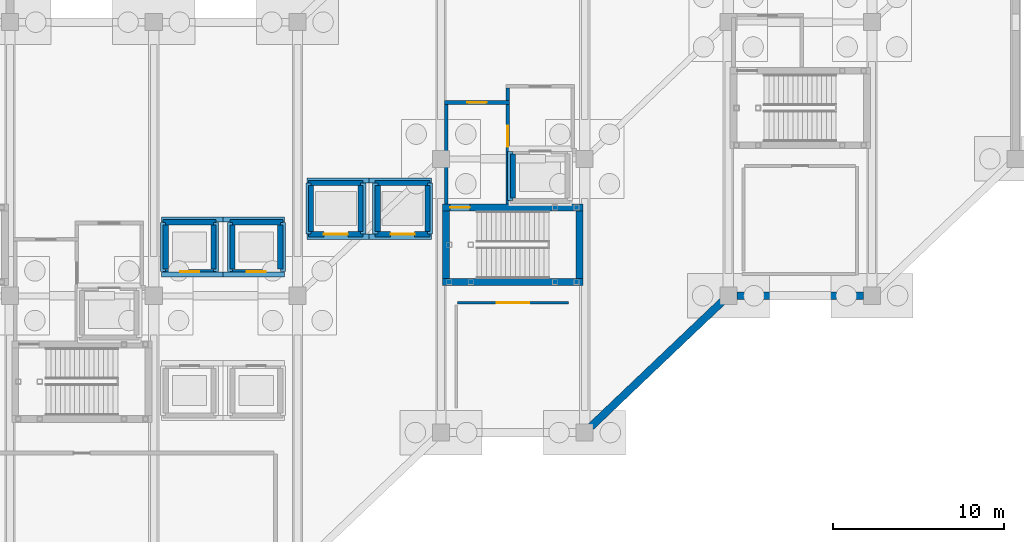
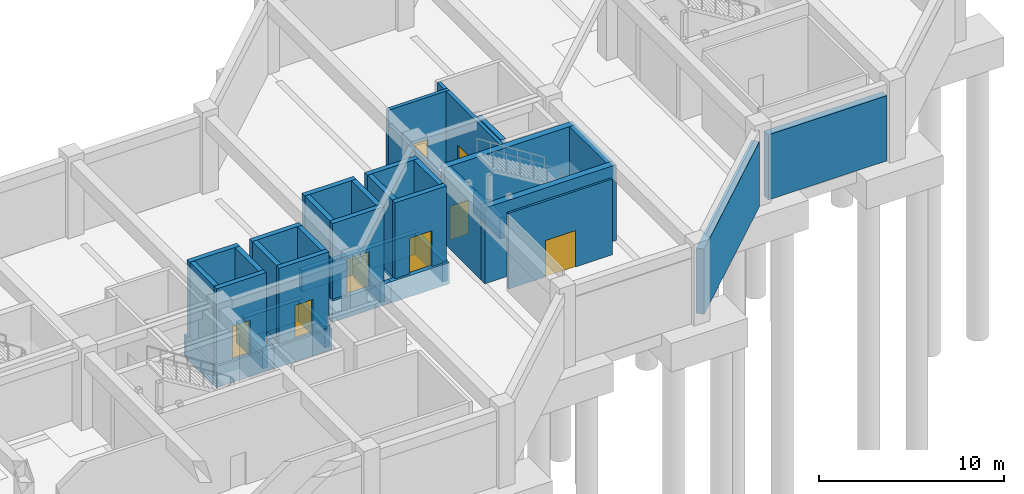
# One storey, part 42 of 56: 45 walls, 8 doors, 8 openings.
"""IFC4 building model written with IfcOpenShell, lengths in metres."""

from ifc_helpers import new_model, si_unit, direction, frame, frame_2d, origin, place, context, subcontext, project, spatial, rectangle, extrude, material, layer, layer_set, type_object, element, fill, save


model = new_model("IFC4")

# Units and contexts
model_context = context("Model", 3, precision=1e-05, world=origin(), true_north=direction((0.0, 1.0)))
body_context = subcontext(model_context, "Body", "Model", "MODEL_VIEW")
ifc_project = project(units=[si_unit("LENGTHUNIT", "METRE"), si_unit("AREAUNIT", "SQUARE_METRE"), si_unit("VOLUMEUNIT", "CUBIC_METRE"), si_unit("PLANEANGLEUNIT", "RADIAN"), si_unit("MASSUNIT", "GRAM", prefix="KILO")], contexts=[model_context])

# Site, building, storey
site_placement = place(None, origin())
site = spatial("IfcSite", under=ifc_project, at=site_placement, CompositionType="ELEMENT")
building_placement = place(site_placement, origin())
building = spatial("IfcBuilding", under=site, at=building_placement, Name="Naruveol Harbour Congress Hotel", CompositionType="ELEMENT")
storey_placement = place(building_placement, frame((0.0, 0.0, -5.39990234375)))
storey = spatial("IfcBuildingStorey", under=building, at=storey_placement, Name="B01", CompositionType="ELEMENT", Elevation=-5.39990234375)

# Wall, opening, door
ifc_material_1 = material(Name="Acoustic Double Stud Gypsum", Category="gypsum")
ifc_layer_1 = layer(ifc_material_1, 0.139892578125)
ifc_layer_set_1 = layer_set([ifc_layer_1], Name="Acoustic Double Stud Gypsum")
wall_type_1 = type_object("IfcWallType", Name="ACOUSTIC MEETING PARTITION WALL 140", PredefinedType="PARTITIONING", material=ifc_layer_set_1)
wall_1_placement = place(storey_placement, frame((152.159912109375, 15.60009765625, 0.0), z_axis=(0.0, 0.0, 1.0), x_axis=(1.0, 0.0, 0.0)))
wall_1 = element("IfcWall", 1, at=wall_1_placement, inside=storey, type_object=wall_type_1, Name="Uniform and Staff Dining Room north entry wall PW-140", PredefinedType="PARTITIONING", context=body_context, shape_type="SweptSolid", body=[
    extrude(rectangle(XDim=6.47998046875, YDim=0.139892578125, at=frame_2d((3.239990234375, 0.0))), origin(), (0.0, 0.0, 1.0), 4.994873046875),
])
opening_1_placement = place(wall_1_placement, frame((2.2900390625, 0.0, 0.0)))
opening_1 = element("IfcOpeningElement", 2, at=opening_1_placement, cuts=wall_1, Name="Opening ID-LG-12", PredefinedType="OPENING", context=body_context, shape_type="SweptSolid", body=[
    extrude(rectangle(XDim=1.89990234375, YDim=2.39990234375, at=frame_2d((0.949951171875, 1.199951171875))), frame((0.0, 0.079833984375, 0.0), z_axis=(0.0, -1.0, 0.0), x_axis=(1.0, 0.0, 0.0)), (0.0, 0.0, 1.0), 0.159912109375),
])
ifc_material_2 = material(Name="Timber & Steel Acoustic Leaf", Category="steel")
door_type_1 = type_object("IfcDoorType", Name="RESTAURANT AND LOUNGE GLAZED DOOR 1900X2400", OperationType="DOUBLE_DOOR_SINGLE_SWING", PredefinedType="DOOR", material=ifc_material_2)
door_1_placement = place(opening_1_placement, origin())
door_1 = element("IfcDoor", 3, at=door_1_placement, inside=storey, type_object=door_type_1, Name="Uniform and Staff Dining Room Entrance Door", OperationType="DOUBLE_DOOR_SINGLE_SWING", OverallHeight=2.39990234375, OverallWidth=1.89990234375, PredefinedType="DOOR", context=body_context, shape_type="SweptSolid", body=[
    extrude(rectangle(XDim=1.89990234375, YDim=2.39990234375, at=frame_2d((0.949951171875, 1.199951171875))), frame((0.0, 0.02490234375, 0.0), z_axis=(0.0, -1.0, 0.0), x_axis=(1.0, 0.0, 0.0)), (0.0, 0.0, 1.0), 0.050048828125),
])
fill(opening_1, door_1)

# Wall
ifc_material_3 = material(Name="Concrete C40/50", Category="concrete")
ifc_layer_2 = layer(ifc_material_3, 0.219970703125)
ifc_layer_set_2 = layer_set([ifc_layer_2], Name="Concrete C40/50")
wall_type_2 = type_object("IfcWallType", Name="FIRE COMPARTMENT AND LOBBY WALL 220 EI120", PredefinedType="PARTITIONING", material=ifc_layer_set_2)
wall_2_placement = place(storey_placement, frame((151.5, 21.364990234375, 0.0), z_axis=(0.0, 0.0, 1.0), x_axis=(0.0, 1.0, 0.0)))
element("IfcWall", 4, at=wall_2_placement, inside=storey, type_object=wall_type_2, Name="Smoke vestibule ST2 west wall FW-220", PredefinedType="PARTITIONING", context=body_context, shape_type="SweptSolid", body=[
    extrude(rectangle(XDim=5.820068359375, YDim=0.219970703125, at=frame_2d((2.91015625, 0.0))), origin(), (0.0, 0.0, 1.0), 4.0498046875),
])

# Wall, opening, door
wall_3_placement = place(storey_placement, frame((151.389892578125, 27.300048828125, 0.0), z_axis=(0.0, 0.0, 1.0), x_axis=(1.0, 0.0, 0.0)))
wall_3 = element("IfcWall", 5, at=wall_3_placement, inside=storey, type_object=wall_type_2, Name="Smoke vestibule ST2 north wall FW-220", PredefinedType="PARTITIONING", context=body_context, shape_type="SweptSolid", body=[
    extrude(rectangle(XDim=3.820068359375, YDim=0.219970703125, at=frame_2d((1.91015625, 0.0))), origin(), (0.0, 0.0, 1.0), 4.994873046875),
])
opening_2_placement = place(wall_3_placement, frame((1.35009765625, 0.0, 0.0)))
opening_2 = element("IfcOpeningElement", 6, at=opening_2_placement, cuts=wall_3, Name="Opening FD-ST2-V-B01", PredefinedType="OPENING", context=body_context, shape_type="SweptSolid", body=[
    extrude(rectangle(XDim=1.1201171875, YDim=2.199951171875, at=frame_2d((0.56005859375, 1.10009765625))), frame((0.0, 0.119873046875, 0.0), z_axis=(0.0, -1.0, 0.0), x_axis=(1.0, 0.0, 0.0)), (0.0, 0.0, 1.0), 0.239990234375),
])
ifc_material_4 = material(Name="Timber & Steel Acoustic Leaf", Category="steel")
door_type_2 = type_object("IfcDoorType", Name="VESTIBULE SMOKE CONTROL FIRE DOOR 1120X2200", OperationType="NOTDEFINED", PredefinedType="DOOR", material=ifc_material_4)
door_2_placement = place(opening_2_placement, origin())
door_2 = element("IfcDoor", 7, at=door_2_placement, inside=storey, type_object=door_type_2, Name="Smoke Vestibule Entry Door ST2 B01", OperationType="SINGLE_SWING_LEFT", OverallHeight=2.199951171875, OverallWidth=1.1201171875, PredefinedType="DOOR", context=body_context, shape_type="SweptSolid", body=[
    extrude(rectangle(XDim=1.1201171875, YDim=2.199951171875, at=frame_2d((0.56005859375, 1.10009765625))), frame((0.0, 0.02490234375, 0.0), z_axis=(0.0, -1.0, 0.0), x_axis=(1.0, 0.0, 0.0)), (0.0, 0.0, 1.0), 0.050048828125),
])
fill(opening_2, door_2)

wall_4_placement = place(storey_placement, frame((155.10009765625, 21.364990234375, 0.0), z_axis=(0.0, 0.0, 1.0), x_axis=(0.0, 1.0, 0.0)))
wall_4 = element("IfcWall", 8, at=wall_4_placement, inside=storey, type_object=wall_type_2, Name="Smoke vestibule ST2 east wall FW-220", PredefinedType="PARTITIONING", context=body_context, shape_type="SweptSolid", body=[
    extrude(rectangle(XDim=5.820068359375, YDim=0.219970703125, at=frame_2d((2.91015625, 0.0))), origin(), (0.0, 0.0, 1.0), 4.994873046875),
])
opening_3_placement = place(wall_4_placement, frame((3.3349609375, 0.0, 0.0)))
opening_3 = element("IfcOpeningElement", 9, at=opening_3_placement, cuts=wall_4, Name="Opening FD-FFL-ST2-B01", PredefinedType="OPENING", context=body_context, shape_type="SweptSolid", body=[
    extrude(rectangle(XDim=1.239990234375, YDim=2.199951171875, at=frame_2d((0.6201171875, 1.10009765625))), frame((0.0, 0.119873046875, 0.0), z_axis=(0.0, -1.0, 0.0), x_axis=(1.0, 0.0, 0.0)), (0.0, 0.0, 1.0), 0.239990234375),
])
ifc_material_5 = material(Name="Timber & Steel Acoustic Leaf", Category="steel")
door_type_3 = type_object("IfcDoorType", Name="FIREFIGHTING LOBBY FIRE DOOR 1240X2200", OperationType="NOTDEFINED", PredefinedType="DOOR", material=ifc_material_5)
door_3_placement = place(opening_3_placement, origin())
door_3 = element("IfcDoor", 10, at=door_3_placement, inside=storey, type_object=door_type_3, Name="Firefighting Lobby Vestibule Door ST2 B01", OperationType="SINGLE_SWING_RIGHT", OverallHeight=2.199951171875, OverallWidth=1.239990234375, PredefinedType="DOOR", context=body_context, shape_type="SweptSolid", body=[
    extrude(rectangle(XDim=1.239990234375, YDim=2.199951171875, at=frame_2d((0.6201171875, 1.10009765625))), frame((0.0, 0.02490234375, 0.0), z_axis=(0.0, -1.0, 0.0), x_axis=(1.0, 0.0, 0.0)), (0.0, 0.0, 1.0), 0.050048828125),
])
fill(opening_3, door_3)

# Walls
wall_5_placement = place(storey_placement, frame((155.10009765625, 27.4150390625, 0.0), z_axis=(0.0, 0.0, 1.0), x_axis=(0.0, 1.0, 0.0)))
element("IfcWall", 11, at=wall_5_placement, inside=storey, type_object=wall_type_2, Name="Firefighting lift lobby ST2 upper west wall FW-220", PredefinedType="PARTITIONING", context=body_context, shape_type="SweptSolid", body=[
    extrude(rectangle(XDim=0.719970703125, YDim=0.219970703125, at=frame_2d((0.35986328125, 0.0))), origin(), (0.0, 0.0, 1.0), 4.994873046875),
])
ifc_material_6 = material(Name="Concrete C40/50", Category="concrete")
ifc_layer_3 = layer(ifc_material_6, 0.449951171875)
ifc_layer_set_3 = layer_set([ifc_layer_3], Name="Concrete C40/50")
wall_type_3 = type_object("IfcWallType", Name="RC BASEMENT RETAINING WALL 450", PredefinedType="USERDEFINED", material=ifc_layer_set_3)
wall_6_placement = place(storey_placement, frame((167.637939453125, 15.655029296875, 0.0), z_axis=(0.0, 0.0, 1.0), x_axis=(-0.72415874468, -0.689633317426, 0.0)))
element("IfcWall", 12, at=wall_6_placement, inside=storey, type_object=wall_type_3, Name="Hotel basement south wall RW-450", ObjectType="RETAININGWALL", PredefinedType="USERDEFINED", context=body_context, shape_type="SweptSolid", body=[
    extrude(rectangle(XDim=10.599853515625, YDim=0.449951171875, at=frame_2d((5.2998046875, 0.0))), origin(), (0.0, 0.0, 1.0), 4.2998046875),
])
wall_7_placement = place(storey_placement, frame((175.89990234375, 16.0, 0.0), z_axis=(0.0, 0.0, 1.0), x_axis=(-1.0, 0.0, 0.0)))
element("IfcWall", 13, at=wall_7_placement, inside=storey, type_object=wall_type_3, Name="Hotel basement south wall RW-450", ObjectType="RETAININGWALL", PredefinedType="USERDEFINED", context=body_context, shape_type="SweptSolid", body=[
    extrude(rectangle(XDim=7.39990234375, YDim=0.449951171875, at=frame_2d((3.699951171875, 0.0))), origin(), (0.0, 0.0, 1.0), 4.2998046875),
])
ifc_material_7 = material(Name="Concrete C50/60", Category="concrete")
ifc_layer_4 = layer(ifc_material_7, 0.39990234375)
ifc_layer_set_4 = layer_set([ifc_layer_4], Name="Concrete C50/60")
wall_type_4 = type_object("IfcWallType", Name="RC CORE SHEAR WALL 400 EI120", PredefinedType="SHEAR", material=ifc_layer_set_4)
wall_8_placement = place(storey_placement, frame((151.300048828125, 16.800048828125, 0.0), z_axis=(0.0, 0.0, 1.0), x_axis=(1.0, 0.0, 0.0)))
element("IfcWall", 14, at=wall_8_placement, inside=storey, type_object=wall_type_4, Name="Stair ST2 south core wall CW-400", PredefinedType="SHEAR", context=body_context, shape_type="SweptSolid", body=[
    extrude(rectangle(XDim=8.199951171875, YDim=0.39990234375, at=frame_2d((4.10009765625, 0.0))), origin(), (0.0, 0.0, 1.0), 4.994873046875),
])
wall_9_placement = place(storey_placement, frame((159.300048828125, 17.0048828125, 0.0), z_axis=(0.0, 0.0, 1.0), x_axis=(0.0, 1.0, 0.0)))
element("IfcWall", 15, at=wall_9_placement, inside=storey, type_object=wall_type_4, Name="Stair ST2 east core wall CW-400", PredefinedType="SHEAR", context=body_context, shape_type="SweptSolid", body=[
    extrude(rectangle(XDim=3.9501953125, YDim=0.39990234375, at=frame_2d((1.97509765625, 0.0))), origin(), (0.0, 0.0, 1.0), 4.994873046875),
])

# Wall, opening, door
wall_10_placement = place(storey_placement, frame((151.300048828125, 21.159912109375, 0.0), z_axis=(0.0, 0.0, 1.0), x_axis=(1.0, 0.0, 0.0)))
wall_10 = element("IfcWall", 16, at=wall_10_placement, inside=storey, type_object=wall_type_4, Name="Stair ST2 north core wall CW-400", PredefinedType="SHEAR", context=body_context, shape_type="SweptSolid", body=[
    extrude(rectangle(XDim=8.199951171875, YDim=0.39990234375, at=frame_2d((4.10009765625, 0.0))), origin(), (0.0, 0.0, 1.0), 4.994873046875),
])
opening_4_placement = place(wall_10_placement, frame((0.429931640625, 0.0, 0.0)))
opening_4 = element("IfcOpeningElement", 17, at=opening_4_placement, cuts=wall_10, Name="Opening FD-ST2-S-B01", PredefinedType="OPENING", context=body_context, shape_type="SweptSolid", body=[
    extrude(rectangle(XDim=1.159912109375, YDim=2.199951171875, at=frame_2d((0.580078125, 1.10009765625))), frame((0.0, 0.2099609375, 0.0), z_axis=(0.0, -1.0, 0.0), x_axis=(1.0, 0.0, 0.0)), (0.0, 0.0, 1.0), 0.419921875),
])
ifc_material_8 = material(Name="Timber & Steel Acoustic Leaf", Category="steel")
door_type_4 = type_object("IfcDoorType", Name="SPECIAL ESCAPE STAIR FIRE DOOR 1160X2200", OperationType="NOTDEFINED", PredefinedType="DOOR", material=ifc_material_8)
door_4_placement = place(opening_4_placement, origin())
door_4 = element("IfcDoor", 18, at=door_4_placement, inside=storey, type_object=door_type_4, Name="Special Escape Stair Door ST2 B01", OperationType="SINGLE_SWING_RIGHT", OverallHeight=2.199951171875, OverallWidth=1.159912109375, PredefinedType="DOOR", context=body_context, shape_type="SweptSolid", body=[
    extrude(rectangle(XDim=1.159912109375, YDim=2.199951171875, at=frame_2d((0.580078125, 1.10009765625))), frame((0.0, 0.02490234375, 0.0), z_axis=(0.0, -1.0, 0.0), x_axis=(1.0, 0.0, 0.0)), (0.0, 0.0, 1.0), 0.050048828125),
])
fill(opening_4, door_4)

# Walls
wall_11_placement = place(storey_placement, frame((151.5, 17.0048828125, 0.0), z_axis=(0.0, 0.0, 1.0), x_axis=(0.0, 1.0, 0.0)))
element("IfcWall", 19, at=wall_11_placement, inside=storey, type_object=wall_type_4, Name="Stair ST2 west core wall CW-400", PredefinedType="SHEAR", context=body_context, shape_type="SweptSolid", body=[
    extrude(rectangle(XDim=3.9501953125, YDim=0.39990234375, at=frame_2d((1.97509765625, 0.0))), origin(), (0.0, 0.0, 1.0), 4.994873046875),
])
ifc_material_9 = material(Name="Concrete C40/50", Category="concrete")
ifc_layer_5 = layer(ifc_material_9, 0.300048828125)
ifc_layer_set_5 = layer_set([ifc_layer_5], Name="Concrete C40/50")
wall_type_5 = type_object("IfcWallType", Name="RC LIFT PIT RETAINING WALL 300", PredefinedType="USERDEFINED", material=ifc_layer_set_5)
wall_12_placement = place(storey_placement, frame((134.85009765625, 17.25, -1.400146484375), z_axis=(0.0, 0.0, 1.0), x_axis=(1.0, 0.0, 0.0)))
element("IfcWall", 20, at=wall_12_placement, inside=storey, type_object=wall_type_5, Name="Lift pit wall PL1 #1", ObjectType="RETAININGWALL", PredefinedType="USERDEFINED", context=body_context, shape_type="SweptSolid", body=[
    extrude(rectangle(XDim=3.599853515625, YDim=0.300048828125, at=frame_2d((1.7998046875, 0.0))), origin(), (0.0, 0.0, 1.0), 1.400146484375),
])
wall_13_placement = place(storey_placement, frame((138.050048828125, 17.409912109375, -1.400146484375), z_axis=(0.0, 0.0, 1.0), x_axis=(0.0, 1.0, 0.0)))
element("IfcWall", 21, at=wall_13_placement, inside=storey, type_object=wall_type_5, Name="Lift pit wall PL1 #2", ObjectType="RETAININGWALL", PredefinedType="USERDEFINED", context=body_context, shape_type="SweptSolid", body=[
    extrude(rectangle(XDim=2.880126953125, YDim=0.300048828125, at=frame_2d((1.43994140625, 0.0))), origin(), (0.0, 0.0, 1.0), 1.400146484375),
])
wall_14_placement = place(storey_placement, frame((138.449951171875, 20.449951171875, -1.400146484375), z_axis=(0.0, 0.0, 1.0), x_axis=(-1.0, 0.0, 0.0)))
element("IfcWall", 22, at=wall_14_placement, inside=storey, type_object=wall_type_5, Name="Lift pit wall PL1 #3", ObjectType="RETAININGWALL", PredefinedType="USERDEFINED", context=body_context, shape_type="SweptSolid", body=[
    extrude(rectangle(XDim=3.599853515625, YDim=0.300048828125, at=frame_2d((1.7998046875, 0.0))), origin(), (0.0, 0.0, 1.0), 1.400146484375),
])
wall_15_placement = place(storey_placement, frame((134.949951171875, 20.2900390625, -1.400146484375), z_axis=(0.0, 0.0, 1.0), x_axis=(0.0, -1.0, 0.0)))
element("IfcWall", 23, at=wall_15_placement, inside=storey, type_object=wall_type_5, Name="Lift pit wall PL1 #4", ObjectType="RETAININGWALL", PredefinedType="USERDEFINED", context=body_context, shape_type="SweptSolid", body=[
    extrude(rectangle(XDim=2.880126953125, YDim=0.300048828125, at=frame_2d((1.43994140625, 0.0))), origin(), (0.0, 0.0, 1.0), 1.400146484375),
])
wall_16_placement = place(storey_placement, frame((138.449951171875, 17.25, -1.400146484375), z_axis=(0.0, 0.0, 1.0), x_axis=(1.0, 0.0, 0.0)))
element("IfcWall", 24, at=wall_16_placement, inside=storey, type_object=wall_type_5, Name="Lift pit wall PL2 #1", ObjectType="RETAININGWALL", PredefinedType="USERDEFINED", context=body_context, shape_type="SweptSolid", body=[
    extrude(rectangle(XDim=3.60009765625, YDim=0.300048828125, at=frame_2d((1.800048828125, 0.0))), origin(), (0.0, 0.0, 1.0), 1.400146484375),
])
wall_17_placement = place(storey_placement, frame((141.949951171875, 17.409912109375, -1.400146484375), z_axis=(0.0, 0.0, 1.0), x_axis=(0.0, 1.0, 0.0)))
element("IfcWall", 25, at=wall_17_placement, inside=storey, type_object=wall_type_5, Name="Lift pit wall PL2 #2", ObjectType="RETAININGWALL", PredefinedType="USERDEFINED", context=body_context, shape_type="SweptSolid", body=[
    extrude(rectangle(XDim=2.880126953125, YDim=0.300048828125, at=frame_2d((1.43994140625, 0.0))), origin(), (0.0, 0.0, 1.0), 1.400146484375),
])
wall_18_placement = place(storey_placement, frame((142.050048828125, 20.449951171875, -1.400146484375), z_axis=(0.0, 0.0, 1.0), x_axis=(-1.0, 0.0, 0.0)))
element("IfcWall", 26, at=wall_18_placement, inside=storey, type_object=wall_type_5, Name="Lift pit wall PL2 #3", ObjectType="RETAININGWALL", PredefinedType="USERDEFINED", context=body_context, shape_type="SweptSolid", body=[
    extrude(rectangle(XDim=3.60009765625, YDim=0.300048828125, at=frame_2d((1.800048828125, 0.0))), origin(), (0.0, 0.0, 1.0), 1.400146484375),
])
wall_19_placement = place(storey_placement, frame((138.85009765625, 20.2900390625, -1.400146484375), z_axis=(0.0, 0.0, 1.0), x_axis=(0.0, -1.0, 0.0)))
element("IfcWall", 27, at=wall_19_placement, inside=storey, type_object=wall_type_5, Name="Lift pit wall PL2 #4", ObjectType="RETAININGWALL", PredefinedType="USERDEFINED", context=body_context, shape_type="SweptSolid", body=[
    extrude(rectangle(XDim=2.880126953125, YDim=0.300048828125, at=frame_2d((1.43994140625, 0.0))), origin(), (0.0, 0.0, 1.0), 1.400146484375),
])
wall_20_placement = place(storey_placement, frame((155.25, 24.43994140625, -1.400146484375), z_axis=(0.0, 0.0, 1.0), x_axis=(0.0, -1.0, 0.0)))
element("IfcWall", 28, at=wall_20_placement, inside=storey, type_object=wall_type_5, Name="Lift pit wall FL2 #4", ObjectType="RETAININGWALL", PredefinedType="USERDEFINED", context=body_context, shape_type="SweptSolid", body=[
    extrude(rectangle(XDim=2.8798828125, YDim=0.300048828125, at=frame_2d((1.43994140625, 0.0))), origin(), (0.0, 0.0, 1.0), 1.400146484375),
])
wall_21_placement = place(storey_placement, frame((143.35009765625, 19.449951171875, -1.400146484375), z_axis=(0.0, 0.0, 1.0), x_axis=(1.0, 0.0, 0.0)))
element("IfcWall", 29, at=wall_21_placement, inside=storey, type_object=wall_type_5, Name="Lift pit wall GL1 #1", ObjectType="RETAININGWALL", PredefinedType="USERDEFINED", context=body_context, shape_type="SweptSolid", body=[
    extrude(rectangle(XDim=3.64990234375, YDim=0.300048828125, at=frame_2d((1.824951171875, 0.0))), origin(), (0.0, 0.0, 1.0), 1.400146484375),
])
wall_22_placement = place(storey_placement, frame((146.64990234375, 19.610107421875, -1.400146484375), z_axis=(0.0, 0.0, 1.0), x_axis=(0.0, 1.0, 0.0)))
element("IfcWall", 30, at=wall_22_placement, inside=storey, type_object=wall_type_5, Name="Lift pit wall GL1 #2", ObjectType="RETAININGWALL", PredefinedType="USERDEFINED", context=body_context, shape_type="SweptSolid", body=[
    extrude(rectangle(XDim=2.97998046875, YDim=0.300048828125, at=frame_2d((1.489990234375, 0.0))), origin(), (0.0, 0.0, 1.0), 1.400146484375),
])
wall_23_placement = place(storey_placement, frame((147.0, 22.75, -1.400146484375), z_axis=(0.0, 0.0, 1.0), x_axis=(-1.0, 0.0, 0.0)))
element("IfcWall", 31, at=wall_23_placement, inside=storey, type_object=wall_type_5, Name="Lift pit wall GL1 #3", ObjectType="RETAININGWALL", PredefinedType="USERDEFINED", context=body_context, shape_type="SweptSolid", body=[
    extrude(rectangle(XDim=3.64990234375, YDim=0.300048828125, at=frame_2d((1.824951171875, 0.0))), origin(), (0.0, 0.0, 1.0), 1.400146484375),
])
wall_24_placement = place(storey_placement, frame((143.449951171875, 22.590087890625, -1.400146484375), z_axis=(0.0, 0.0, 1.0), x_axis=(0.0, -1.0, 0.0)))
element("IfcWall", 32, at=wall_24_placement, inside=storey, type_object=wall_type_5, Name="Lift pit wall GL1 #4", ObjectType="RETAININGWALL", PredefinedType="USERDEFINED", context=body_context, shape_type="SweptSolid", body=[
    extrude(rectangle(XDim=2.97998046875, YDim=0.300048828125, at=frame_2d((1.489990234375, 0.0))), origin(), (0.0, 0.0, 1.0), 1.400146484375),
])
wall_25_placement = place(storey_placement, frame((147.0, 19.449951171875, -1.400146484375), z_axis=(0.0, 0.0, 1.0), x_axis=(1.0, 0.0, 0.0)))
element("IfcWall", 33, at=wall_25_placement, inside=storey, type_object=wall_type_5, Name="Lift pit wall GL2 #1", ObjectType="RETAININGWALL", PredefinedType="USERDEFINED", context=body_context, shape_type="SweptSolid", body=[
    extrude(rectangle(XDim=3.64990234375, YDim=0.300048828125, at=frame_2d((1.824951171875, 0.0))), origin(), (0.0, 0.0, 1.0), 1.400146484375),
])
wall_26_placement = place(storey_placement, frame((150.550048828125, 19.610107421875, -1.400146484375), z_axis=(0.0, 0.0, 1.0), x_axis=(0.0, 1.0, 0.0)))
element("IfcWall", 34, at=wall_26_placement, inside=storey, type_object=wall_type_5, Name="Lift pit wall GL2 #2", ObjectType="RETAININGWALL", PredefinedType="USERDEFINED", context=body_context, shape_type="SweptSolid", body=[
    extrude(rectangle(XDim=2.97998046875, YDim=0.300048828125, at=frame_2d((1.489990234375, 0.0))), origin(), (0.0, 0.0, 1.0), 1.400146484375),
])
wall_27_placement = place(storey_placement, frame((150.64990234375, 22.75, -1.400146484375), z_axis=(0.0, 0.0, 1.0), x_axis=(-1.0, 0.0, 0.0)))
element("IfcWall", 35, at=wall_27_placement, inside=storey, type_object=wall_type_5, Name="Lift pit wall GL2 #3", ObjectType="RETAININGWALL", PredefinedType="USERDEFINED", context=body_context, shape_type="SweptSolid", body=[
    extrude(rectangle(XDim=3.64990234375, YDim=0.300048828125, at=frame_2d((1.824951171875, 0.0))), origin(), (0.0, 0.0, 1.0), 1.400146484375),
])
wall_28_placement = place(storey_placement, frame((147.35009765625, 22.590087890625, -1.400146484375), z_axis=(0.0, 0.0, 1.0), x_axis=(0.0, -1.0, 0.0)))
element("IfcWall", 36, at=wall_28_placement, inside=storey, type_object=wall_type_5, Name="Lift pit wall GL2 #4", ObjectType="RETAININGWALL", PredefinedType="USERDEFINED", context=body_context, shape_type="SweptSolid", body=[
    extrude(rectangle(XDim=2.97998046875, YDim=0.300048828125, at=frame_2d((1.489990234375, 0.0))), origin(), (0.0, 0.0, 1.0), 1.400146484375),
])

# Wall, opening, door
ifc_material_10 = material(Name="Concrete C50/60", Category="concrete")
ifc_layer_6 = layer(ifc_material_10, 0.300048828125)
ifc_layer_set_6 = layer_set([ifc_layer_6], Name="Concrete C50/60")
wall_type_6 = type_object("IfcWallType", Name="RC STAIR AND HOISTWAY SHEAR WALL 300 EI120", PredefinedType="SHEAR", material=ifc_layer_set_6)
wall_29_placement = place(storey_placement, frame((134.949951171875, 17.39990234375, 0.0), z_axis=(0.0, 0.0, 1.0), x_axis=(1.0, 0.0, 0.0)))
wall_29 = element("IfcWall", 37, at=wall_29_placement, inside=storey, type_object=wall_type_6, Name="Hoistway south shear wall PL1 SW-300", PredefinedType="SHEAR", context=body_context, shape_type="SweptSolid", body=[
    extrude(rectangle(XDim=3.10009765625, YDim=0.300048828125, at=frame_2d((1.550048828125, 0.0))), origin(), (0.0, 0.0, 1.0), 4.994873046875),
])
opening_5_placement = place(wall_29_placement, frame((1.0, 0.0, 0.0)))
opening_5 = element("IfcOpeningElement", 38, at=opening_5_placement, cuts=wall_29, Name="Opening LD-PL1-B01", PredefinedType="OPENING", context=body_context, shape_type="SweptSolid", body=[
    extrude(rectangle(XDim=1.10009765625, YDim=2.199951171875, at=frame_2d((0.550048828125, 1.10009765625))), frame((0.0, 0.159912109375, 0.0), z_axis=(0.0, -1.0, 0.0), x_axis=(1.0, 0.0, 0.0)), (0.0, 0.0, 1.0), 0.320068359375),
])
ifc_material_11 = material(Name="Stainless Steel Lift Door", Category="steel")
door_type_5 = type_object("IfcDoorType", Name="PASSENGER LIFT LANDING DOOR 1100X2200", OperationType="DOUBLE_DOOR_SLIDING", PredefinedType="DOOR", material=ifc_material_11)
door_5_placement = place(opening_5_placement, origin())
door_5 = element("IfcDoor", 39, at=door_5_placement, inside=storey, type_object=door_type_5, Name="Elevator Landing Door PL1 B01", OperationType="DOUBLE_DOOR_SLIDING", OverallHeight=2.199951171875, OverallWidth=1.10009765625, PredefinedType="DOOR", context=body_context, shape_type="SweptSolid", body=[
    extrude(rectangle(XDim=1.10009765625, YDim=2.199951171875, at=frame_2d((0.550048828125, 1.10009765625))), frame((0.0, 0.02490234375, 0.0), z_axis=(0.0, -1.0, 0.0), x_axis=(1.0, 0.0, 0.0)), (0.0, 0.0, 1.0), 0.050048828125),
])
fill(opening_5, door_5)

# Walls
wall_30_placement = place(storey_placement, frame((137.89990234375, 17.554931640625, 0.0), z_axis=(0.0, 0.0, 1.0), x_axis=(0.0, 1.0, 0.0)))
element("IfcWall", 40, at=wall_30_placement, inside=storey, type_object=wall_type_6, Name="Hoistway east shear wall PL1 SW-300", PredefinedType="SHEAR", context=body_context, shape_type="SweptSolid", body=[
    extrude(rectangle(XDim=2.590087890625, YDim=0.300048828125, at=frame_2d((1.294921875, 0.0))), origin(), (0.0, 0.0, 1.0), 4.994873046875),
])
wall_31_placement = place(storey_placement, frame((138.050048828125, 20.300048828125, 0.0), z_axis=(0.0, 0.0, 1.0), x_axis=(-1.0, 0.0, 0.0)))
element("IfcWall", 41, at=wall_31_placement, inside=storey, type_object=wall_type_6, Name="Hoistway north shear wall PL1 SW-300", PredefinedType="SHEAR", context=body_context, shape_type="SweptSolid", body=[
    extrude(rectangle(XDim=3.10009765625, YDim=0.300048828125, at=frame_2d((1.550048828125, 0.0))), origin(), (0.0, 0.0, 1.0), 4.994873046875),
])
wall_32_placement = place(storey_placement, frame((135.10009765625, 20.14501953125, 0.0), z_axis=(0.0, 0.0, 1.0), x_axis=(0.0, -1.0, 0.0)))
element("IfcWall", 42, at=wall_32_placement, inside=storey, type_object=wall_type_6, Name="Hoistway west shear wall PL1 SW-300", PredefinedType="SHEAR", context=body_context, shape_type="SweptSolid", body=[
    extrude(rectangle(XDim=2.590087890625, YDim=0.300048828125, at=frame_2d((1.294921875, 0.0))), origin(), (0.0, 0.0, 1.0), 4.994873046875),
])

# Wall, opening, door
wall_33_placement = place(storey_placement, frame((138.85009765625, 17.39990234375, 0.0), z_axis=(0.0, 0.0, 1.0), x_axis=(1.0, 0.0, 0.0)))
wall_33 = element("IfcWall", 43, at=wall_33_placement, inside=storey, type_object=wall_type_6, Name="Hoistway south shear wall PL2 SW-300", PredefinedType="SHEAR", context=body_context, shape_type="SweptSolid", body=[
    extrude(rectangle(XDim=3.099853515625, YDim=0.300048828125, at=frame_2d((1.5498046875, 0.0))), origin(), (0.0, 0.0, 1.0), 4.994873046875),
])
opening_6_placement = place(wall_33_placement, frame((1.0, 0.0, 0.0)))
opening_6 = element("IfcOpeningElement", 44, at=opening_6_placement, cuts=wall_33, Name="Opening LD-PL2-B01", PredefinedType="OPENING", context=body_context, shape_type="SweptSolid", body=[
    extrude(rectangle(XDim=1.10009765625, YDim=2.199951171875, at=frame_2d((0.550048828125, 1.10009765625))), frame((0.0, 0.159912109375, 0.0), z_axis=(0.0, -1.0, 0.0), x_axis=(1.0, 0.0, 0.0)), (0.0, 0.0, 1.0), 0.320068359375),
])
door_6_placement = place(opening_6_placement, origin())
door_6 = element("IfcDoor", 45, at=door_6_placement, inside=storey, type_object=door_type_5, Name="Elevator Landing Door PL2 B01", OperationType="DOUBLE_DOOR_SLIDING", OverallHeight=2.199951171875, OverallWidth=1.10009765625, PredefinedType="DOOR", context=body_context, shape_type="SweptSolid", body=[
    extrude(rectangle(XDim=1.10009765625, YDim=2.199951171875, at=frame_2d((0.550048828125, 1.10009765625))), frame((0.0, 0.02490234375, 0.0), z_axis=(0.0, -1.0, 0.0), x_axis=(1.0, 0.0, 0.0)), (0.0, 0.0, 1.0), 0.050048828125),
])
fill(opening_6, door_6)

# Walls
wall_34_placement = place(storey_placement, frame((141.800048828125, 17.554931640625, 0.0), z_axis=(0.0, 0.0, 1.0), x_axis=(0.0, 1.0, 0.0)))
element("IfcWall", 46, at=wall_34_placement, inside=storey, type_object=wall_type_6, Name="Hoistway east shear wall PL2 SW-300", PredefinedType="SHEAR", context=body_context, shape_type="SweptSolid", body=[
    extrude(rectangle(XDim=2.590087890625, YDim=0.300048828125, at=frame_2d((1.294921875, 0.0))), origin(), (0.0, 0.0, 1.0), 4.994873046875),
])
wall_35_placement = place(storey_placement, frame((141.949951171875, 20.300048828125, 0.0), z_axis=(0.0, 0.0, 1.0), x_axis=(-1.0, 0.0, 0.0)))
element("IfcWall", 47, at=wall_35_placement, inside=storey, type_object=wall_type_6, Name="Hoistway north shear wall PL2 SW-300", PredefinedType="SHEAR", context=body_context, shape_type="SweptSolid", body=[
    extrude(rectangle(XDim=3.099853515625, YDim=0.300048828125, at=frame_2d((1.5498046875, 0.0))), origin(), (0.0, 0.0, 1.0), 4.994873046875),
])
wall_36_placement = place(storey_placement, frame((139.0, 20.14501953125, 0.0), z_axis=(0.0, 0.0, 1.0), x_axis=(0.0, -1.0, 0.0)))
element("IfcWall", 48, at=wall_36_placement, inside=storey, type_object=wall_type_6, Name="Hoistway west shear wall PL2 SW-300", PredefinedType="SHEAR", context=body_context, shape_type="SweptSolid", body=[
    extrude(rectangle(XDim=2.590087890625, YDim=0.300048828125, at=frame_2d((1.294921875, 0.0))), origin(), (0.0, 0.0, 1.0), 4.994873046875),
])
wall_37_placement = place(storey_placement, frame((155.39990234375, 24.294921875, 0.0), z_axis=(0.0, 0.0, 1.0), x_axis=(0.0, -1.0, 0.0)))
element("IfcWall", 49, at=wall_37_placement, inside=storey, type_object=wall_type_6, Name="Hoistway west shear wall FL2 SW-300", PredefinedType="SHEAR", context=body_context, shape_type="SweptSolid", body=[
    extrude(rectangle(XDim=2.58984375, YDim=0.300048828125, at=frame_2d((1.294921875, 0.0))), origin(), (0.0, 0.0, 1.0), 4.994873046875),
])

# Wall, opening, door
wall_38_placement = place(storey_placement, frame((143.449951171875, 19.60009765625, 0.0), z_axis=(0.0, 0.0, 1.0), x_axis=(1.0, 0.0, 0.0)))
wall_38 = element("IfcWall", 50, at=wall_38_placement, inside=storey, type_object=wall_type_6, Name="Hoistway south shear wall GL1 SW-300", PredefinedType="SHEAR", context=body_context, shape_type="SweptSolid", body=[
    extrude(rectangle(XDim=3.199951171875, YDim=0.300048828125, at=frame_2d((1.60009765625, 0.0))), origin(), (0.0, 0.0, 1.0), 4.994873046875),
])
opening_7_placement = place(wall_38_placement, frame((0.89990234375, 0.0, 0.0)))
opening_7 = element("IfcOpeningElement", 51, at=opening_7_placement, cuts=wall_38, Name="Opening LD-GL1-B01", PredefinedType="OPENING", context=body_context, shape_type="SweptSolid", body=[
    extrude(rectangle(XDim=1.39990234375, YDim=2.35009765625, at=frame_2d((0.699951171875, 1.175048828125))), frame((0.0, 0.159912109375, 0.0), z_axis=(0.0, -1.0, 0.0), x_axis=(1.0, 0.0, 0.0)), (0.0, 0.0, 1.0), 0.320068359375),
])
ifc_material_12 = material(Name="Stainless Steel Lift Door", Category="steel")
door_type_6 = type_object("IfcDoorType", Name="GOODS LIFT LANDING DOOR 1400X2350", OperationType="DOUBLE_DOOR_SLIDING", PredefinedType="DOOR", material=ifc_material_12)
door_7_placement = place(opening_7_placement, origin())
door_7 = element("IfcDoor", 52, at=door_7_placement, inside=storey, type_object=door_type_6, Name="Elevator Landing Door GL1 B01", OperationType="DOUBLE_DOOR_SLIDING", OverallHeight=2.35009765625, OverallWidth=1.39990234375, PredefinedType="DOOR", context=body_context, shape_type="SweptSolid", body=[
    extrude(rectangle(XDim=1.39990234375, YDim=2.35009765625, at=frame_2d((0.699951171875, 1.175048828125))), frame((0.0, 0.02490234375, 0.0), z_axis=(0.0, -1.0, 0.0), x_axis=(1.0, 0.0, 0.0)), (0.0, 0.0, 1.0), 0.050048828125),
])
fill(opening_7, door_7)

# Walls
wall_39_placement = place(storey_placement, frame((146.5, 19.7548828125, 0.0), z_axis=(0.0, 0.0, 1.0), x_axis=(0.0, 1.0, 0.0)))
element("IfcWall", 53, at=wall_39_placement, inside=storey, type_object=wall_type_6, Name="Hoistway east shear wall GL1 SW-300", PredefinedType="SHEAR", context=body_context, shape_type="SweptSolid", body=[
    extrude(rectangle(XDim=2.690185546875, YDim=0.300048828125, at=frame_2d((1.34521484375, 0.0))), origin(), (0.0, 0.0, 1.0), 4.994873046875),
])
wall_40_placement = place(storey_placement, frame((146.64990234375, 22.60009765625, 0.0), z_axis=(0.0, 0.0, 1.0), x_axis=(-1.0, 0.0, 0.0)))
element("IfcWall", 54, at=wall_40_placement, inside=storey, type_object=wall_type_6, Name="Hoistway north shear wall GL1 SW-300", PredefinedType="SHEAR", context=body_context, shape_type="SweptSolid", body=[
    extrude(rectangle(XDim=3.199951171875, YDim=0.300048828125, at=frame_2d((1.60009765625, 0.0))), origin(), (0.0, 0.0, 1.0), 4.994873046875),
])
wall_41_placement = place(storey_placement, frame((143.60009765625, 22.445068359375, 0.0), z_axis=(0.0, 0.0, 1.0), x_axis=(0.0, -1.0, 0.0)))
element("IfcWall", 55, at=wall_41_placement, inside=storey, type_object=wall_type_6, Name="Hoistway west shear wall GL1 SW-300", PredefinedType="SHEAR", context=body_context, shape_type="SweptSolid", body=[
    extrude(rectangle(XDim=2.690185546875, YDim=0.300048828125, at=frame_2d((1.34521484375, 0.0))), origin(), (0.0, 0.0, 1.0), 4.994873046875),
])

# Wall, opening, door
wall_42_placement = place(storey_placement, frame((147.35009765625, 19.60009765625, 0.0), z_axis=(0.0, 0.0, 1.0), x_axis=(1.0, 0.0, 0.0)))
wall_42 = element("IfcWall", 56, at=wall_42_placement, inside=storey, type_object=wall_type_6, Name="Hoistway south shear wall GL2 SW-300", PredefinedType="SHEAR", context=body_context, shape_type="SweptSolid", body=[
    extrude(rectangle(XDim=3.199951171875, YDim=0.300048828125, at=frame_2d((1.60009765625, 0.0))), origin(), (0.0, 0.0, 1.0), 4.994873046875),
])
opening_8_placement = place(wall_42_placement, frame((0.89990234375, 0.0, 0.0)))
opening_8 = element("IfcOpeningElement", 57, at=opening_8_placement, cuts=wall_42, Name="Opening LD-GL2-B01", PredefinedType="OPENING", context=body_context, shape_type="SweptSolid", body=[
    extrude(rectangle(XDim=1.39990234375, YDim=2.35009765625, at=frame_2d((0.699951171875, 1.175048828125))), frame((0.0, 0.159912109375, 0.0), z_axis=(0.0, -1.0, 0.0), x_axis=(1.0, 0.0, 0.0)), (0.0, 0.0, 1.0), 0.320068359375),
])
door_8_placement = place(opening_8_placement, origin())
door_8 = element("IfcDoor", 58, at=door_8_placement, inside=storey, type_object=door_type_6, Name="Elevator Landing Door GL2 B01", OperationType="DOUBLE_DOOR_SLIDING", OverallHeight=2.35009765625, OverallWidth=1.39990234375, PredefinedType="DOOR", context=body_context, shape_type="SweptSolid", body=[
    extrude(rectangle(XDim=1.39990234375, YDim=2.35009765625, at=frame_2d((0.699951171875, 1.175048828125))), frame((0.0, 0.02490234375, 0.0), z_axis=(0.0, -1.0, 0.0), x_axis=(1.0, 0.0, 0.0)), (0.0, 0.0, 1.0), 0.050048828125),
])
fill(opening_8, door_8)

# Walls
wall_43_placement = place(storey_placement, frame((150.39990234375, 19.7548828125, 0.0), z_axis=(0.0, 0.0, 1.0), x_axis=(0.0, 1.0, 0.0)))
element("IfcWall", 59, at=wall_43_placement, inside=storey, type_object=wall_type_6, Name="Hoistway east shear wall GL2 SW-300", PredefinedType="SHEAR", context=body_context, shape_type="SweptSolid", body=[
    extrude(rectangle(XDim=2.690185546875, YDim=0.300048828125, at=frame_2d((1.34521484375, 0.0))), origin(), (0.0, 0.0, 1.0), 4.994873046875),
])
wall_44_placement = place(storey_placement, frame((150.550048828125, 22.60009765625, 0.0), z_axis=(0.0, 0.0, 1.0), x_axis=(-1.0, 0.0, 0.0)))
element("IfcWall", 60, at=wall_44_placement, inside=storey, type_object=wall_type_6, Name="Hoistway north shear wall GL2 SW-300", PredefinedType="SHEAR", context=body_context, shape_type="SweptSolid", body=[
    extrude(rectangle(XDim=3.199951171875, YDim=0.300048828125, at=frame_2d((1.60009765625, 0.0))), origin(), (0.0, 0.0, 1.0), 4.994873046875),
])
wall_45_placement = place(storey_placement, frame((147.5, 22.445068359375, 0.0), z_axis=(0.0, 0.0, 1.0), x_axis=(0.0, -1.0, 0.0)))
element("IfcWall", 61, at=wall_45_placement, inside=storey, type_object=wall_type_6, Name="Hoistway west shear wall GL2 SW-300", PredefinedType="SHEAR", context=body_context, shape_type="SweptSolid", body=[
    extrude(rectangle(XDim=2.690185546875, YDim=0.300048828125, at=frame_2d((1.34521484375, 0.0))), origin(), (0.0, 0.0, 1.0), 4.994873046875),
])

save(model, "model.ifc")
